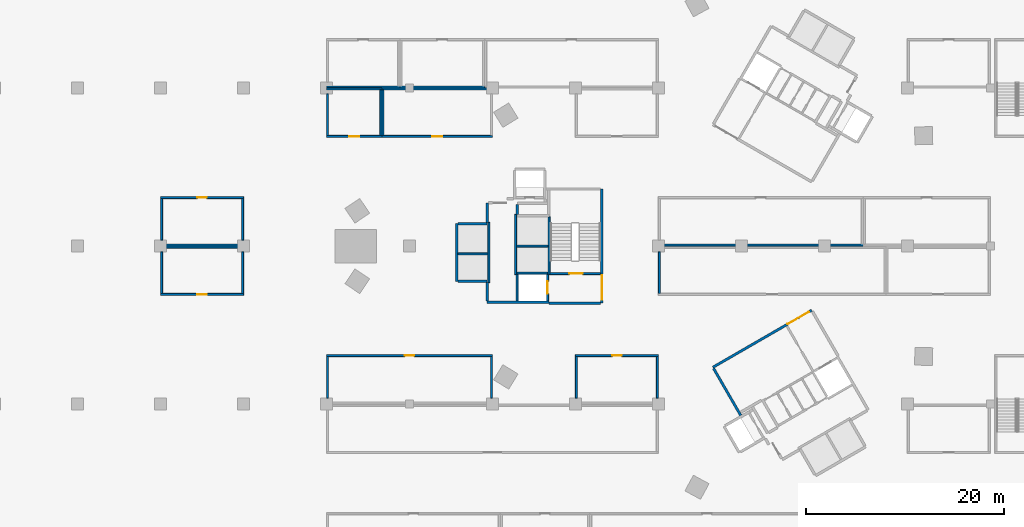
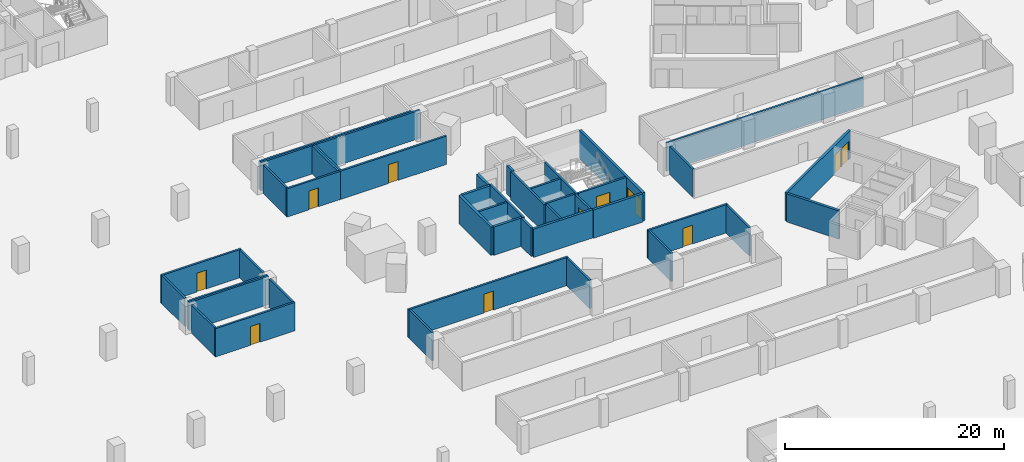
# One storey, part 9 of 37: 45 walls, 12 doors, 12 openings.
"""IFC4 building model written with IfcOpenShell, lengths in metres."""

import ifcopenshell
import ifcopenshell.guid

model = None  # the IFC model being written
_history = None  # IfcOwnerHistory: only IFC2X3 demands one
_inside = {}  # id of a spatial element -> (the spatial element, [elements in it])
_under = {}  # id of a project, library or spatial element -> (it, [spatial elements below it])
_declared = {}  # id of a project -> (the project, [libraries it declares])
_typed = {}  # id of a type object -> (the type object, [elements of that type])
_made_of = {}  # id of a material, layer set ... -> (it, [elements and type objects made of it])


def new_model(schema):
    """Start an empty IFC model of exactly this schema.

    Asked for "IFC4X3", IfcOpenShell would pick the latest addendum, in which some entities
    have other attributes; the version numbers below select the first issue.
    IFC2X3 requires an IfcOwnerHistory on every rooted entity: one is made here for all.
    """
    global model, _history
    if schema == "IFC4X3":
        model = ifcopenshell.file(schema_version=(4, 3, 0, 0))
    else:
        model = ifcopenshell.file(schema=schema)
    _inside.clear()
    _under.clear()
    _declared.clear()
    _typed.clear()
    _made_of.clear()
    _history = None
    if model.schema == "IFC2X3":
        org = make("IfcOrganization", Name="unknown")
        user = make(
            "IfcPersonAndOrganization",
            ThePerson=make("IfcPerson", FamilyName="unknown"),
            TheOrganization=org,
        )
        app = make(
            "IfcApplication",
            ApplicationDeveloper=org,
            Version="unknown",
            ApplicationFullName="unknown",
            ApplicationIdentifier="unknown",
        )
        _history = make(
            "IfcOwnerHistory",
            OwningUser=user,
            OwningApplication=app,
            ChangeAction="ADDED",
            CreationDate=0,
        )
    return model


def make(cls, **values):
    """One entity of the class cls with the attributes given. An attribute that is None is left unset."""
    return model.create_entity(
        cls, **{name: value for name, value in values.items() if value is not None}
    )


def rooted(cls, **values):
    """An entity with a GlobalId (a new one), such as an element, a storey or a relation."""
    return make(cls, GlobalId=ifcopenshell.guid.new(), OwnerHistory=_history, **values)


def si_unit(unit_type, name, prefix=None):
    """IfcSIUnit, for example si_unit("LENGTHUNIT", "METRE", prefix="MILLI")."""
    return make("IfcSIUnit", UnitType=unit_type, Prefix=prefix, Name=name)


def assignment(units):
    """IfcUnitAssignment: the units of a project."""
    return None if units is None else make("IfcUnitAssignment", Units=units)


def point(xyz):
    """IfcCartesianPoint."""
    return None if xyz is None else make("IfcCartesianPoint", Coordinates=xyz)


def direction(xyz):
    """IfcDirection."""
    return None if xyz is None else make("IfcDirection", DirectionRatios=xyz)


def frame(location, z_axis=None, x_axis=None):
    """IfcAxis2Placement3D, a coordinate frame: its origin and axes. An axis left out is left unset."""
    return make(
        "IfcAxis2Placement3D",
        Location=point(location),
        Axis=direction(z_axis),
        RefDirection=direction(x_axis),
    )


def frame_2d(location, x_axis=None):
    """IfcAxis2Placement2D, a coordinate frame in the plane: its origin and x axis."""
    return make(
        "IfcAxis2Placement2D", Location=point(location), RefDirection=direction(x_axis)
    )


def origin():
    """The frame at (0, 0, 0) with its axes left unset."""
    return frame((0.0, 0.0, 0.0))


def place(relative_to, where):
    """IfcLocalPlacement: puts the frame where relative to a parent placement (None: the world)."""
    return make(
        "IfcLocalPlacement", PlacementRelTo=relative_to, RelativePlacement=where
    )


def context(
    kind, dimensions, precision=None, world=None, true_north=None, identifier=None
):
    """IfcGeometricRepresentationContext, for example the 3D "Model" context."""
    return make(
        "IfcGeometricRepresentationContext",
        ContextIdentifier=identifier,
        ContextType=kind,
        CoordinateSpaceDimension=dimensions,
        Precision=precision,
        WorldCoordinateSystem=world,
        TrueNorth=true_north,
    )


def subcontext(parent, identifier, kind, view, scale=None):
    """IfcGeometricRepresentationSubContext, for example "Body" below "Model"."""
    return make(
        "IfcGeometricRepresentationSubContext",
        ContextIdentifier=identifier,
        ContextType=kind,
        ParentContext=parent,
        TargetScale=scale,
        TargetView=view,
    )


def project(units=None, contexts=None):
    """IfcProject with its units and contexts."""
    return rooted(
        "IfcProject",
        Name="project",
        RepresentationContexts=contexts,
        UnitsInContext=assignment(units),
    )


def spatial(cls, under=None, at=None, **own):
    """A site, building, storey or space (cls), placed at a placement, below another one or the project."""
    s = rooted(cls, ObjectPlacement=at, **own)
    if under is not None:
        _under.setdefault(under.id(), (under, []))[1].append(s)
    return s


def profile(cls, at=None, kind="AREA", **sizes):
    """A parametric profile (cls). Its sizes go by their IFC names, for example OverallWidth=200.0."""
    return make(cls, ProfileType=kind, Position=at, **sizes)


def rectangle(**sizes):
    """IfcRectangleProfileDef."""
    return profile("IfcRectangleProfileDef", **sizes)


def extrude(swept, where, along, depth):
    """IfcExtrudedAreaSolid: the profile swept, set in the frame where, extruded along a direction by depth."""
    return make(
        "IfcExtrudedAreaSolid",
        SweptArea=swept,
        Position=where,
        ExtrudedDirection=direction(along),
        Depth=depth,
    )


def shape(context_of_items, identifier, shape_type, items):
    """IfcShapeRepresentation: the items that make up one representation, for example the "Body"."""
    return make(
        "IfcShapeRepresentation",
        ContextOfItems=context_of_items,
        RepresentationIdentifier=identifier,
        RepresentationType=shape_type,
        Items=items,
    )


def material(Name=None, Category=None):
    """IfcMaterial."""
    return make("IfcMaterial", Name=Name, Category=Category)


def layer(
    of_material, thickness, ventilated=None, Name=None, Category=None, Priority=None
):
    """IfcMaterialLayer: one layer of a wall or slab, of a material (None: an air gap)."""
    return make(
        "IfcMaterialLayer",
        Material=of_material,
        LayerThickness=thickness,
        IsVentilated=ventilated,
        Name=Name,
        Category=Category,
        Priority=Priority,
    )


def layer_set(layers, Name=None):
    """IfcMaterialLayerSet."""
    return make("IfcMaterialLayerSet", MaterialLayers=layers, LayerSetName=Name)


def made_of(thing, what):
    """Note that an element or type object is made of a material, layer set ...; save() writes the relation."""
    if what is not None:
        _made_of.setdefault(what.id(), (what, []))[1].append(thing)
    return thing


def type_object(cls, material=None, **own):
    """A type object (cls), such as IfcWallType, which elements share."""
    return made_of(rooted(cls, **own), material)


def element(
    cls,
    number,
    at=None,
    inside=None,
    cuts=None,
    type_object=None,
    material=None,
    context=None,
    identifier="Body",
    shape_type=None,
    held_by="IfcProductDefinitionShape",
    body=None,
    shapes=None,
    **own,
):
    """One element of the class cls, such as IfcWall. Its Tag is "e" and its number.

    at: its placement. inside: the storey or other place that contains it. cuts: it is an
    opening in that element (IfcRelVoidsElement). A single representation is given by context,
    identifier, shape_type and body (its items); several are given by shapes. held_by: the class
    of the entity that holds the representations. save() writes the other relations.
    """
    e = rooted(cls, Tag="e%d" % number, ObjectPlacement=at, **own)
    if body is not None:
        shapes = [shape(context, identifier, shape_type, body)]
    if shapes is not None:
        e.Representation = make(held_by, Representations=shapes)
    if inside is not None:
        _inside.setdefault(inside.id(), (inside, []))[1].append(e)
    if cuts is not None:
        rooted(
            "IfcRelVoidsElement", RelatingBuildingElement=cuts, RelatedOpeningElement=e
        )
    if type_object is not None:
        _typed.setdefault(type_object.id(), (type_object, []))[1].append(e)
    return made_of(e, material)


def fill(opening, filler):
    """IfcRelFillsElement: the door or window that sits in an opening."""
    return rooted(
        "IfcRelFillsElement",
        RelatingOpeningElement=opening,
        RelatedBuildingElement=filler,
    )


def aggregate(whole, parts):
    """IfcRelAggregates: a whole, such as a stair, and the parts it consists of."""
    return rooted("IfcRelAggregates", RelatingObject=whole, RelatedObjects=parts)


def save(model, path):
    """Write the relations noted so far, then the file.

    IfcRelAggregates (storeys below a building ...), IfcRelContainedInSpatialStructure (elements
    in a storey), IfcRelDefinesByType, IfcRelAssociatesMaterial and IfcRelDeclares: one each for
    every whole, place, type object, material and project.
    """
    for whole, parts in _under.values():
        aggregate(whole, parts)
    for where, things in _inside.values():
        rooted(
            "IfcRelContainedInSpatialStructure",
            RelatedElements=things,
            RelatingStructure=where,
        )
    for kind, things in _typed.values():
        rooted("IfcRelDefinesByType", RelatedObjects=things, RelatingType=kind)
    for what, things in _made_of.values():
        rooted("IfcRelAssociatesMaterial", RelatedObjects=things, RelatingMaterial=what)
    for by, libraries in _declared.values():
        rooted("IfcRelDeclares", RelatingContext=by, RelatedDefinitions=libraries)
    model.write(path)


model = new_model("IFC4")

# Units and contexts
model_context = context("Model", 3, precision=1e-05, world=origin(), true_north=direction((0.0, 1.0)))
body_context = subcontext(model_context, "Body", "Model", "MODEL_VIEW")
ifc_project = project(units=[si_unit("LENGTHUNIT", "METRE"), si_unit("AREAUNIT", "SQUARE_METRE"), si_unit("VOLUMEUNIT", "CUBIC_METRE"), si_unit("PLANEANGLEUNIT", "RADIAN"), si_unit("MASSUNIT", "GRAM", prefix="KILO")], contexts=[model_context])

# Site, building, storey
site_placement = place(None, origin())
site = spatial("IfcSite", under=ifc_project, at=site_placement, CompositionType="ELEMENT")
building_placement = place(site_placement, origin())
building = spatial("IfcBuilding", under=site, at=building_placement, Name="Tamra Quay Hotel Tower", CompositionType="ELEMENT")
storey_placement = place(building_placement, frame((0.0, 0.0, -3.60009765625)))
storey = spatial("IfcBuildingStorey", under=building, at=storey_placement, Name="B1", CompositionType="ELEMENT", Elevation=-3.60009765625)

# Wall, opening, door
ifc_material_1 = material(Name="Blockwork", Category="masonry")
ifc_layer_1 = layer(ifc_material_1, 0.199951171875)
ifc_layer_set_1 = layer_set([ifc_layer_1], Name="Car park room wall 200")
wall_type_1 = type_object("IfcWallType", Name="Car park room wall 200", PredefinedType="PARTITIONING", material=ifc_layer_set_1)
wall_1_placement = place(storey_placement, frame((-38.699951171875, -11.10009765625, 0.0), z_axis=(0.0, 0.0, 1.0), x_axis=(1.0, 0.0, 0.0)))
wall_1 = element("IfcWall", 1, at=wall_1_placement, inside=storey, type_object=wall_type_1, Name="PW", PredefinedType="PARTITIONING", context=body_context, shape_type="SweptSolid", body=[
    extrude(rectangle(XDim=16.800048828125, YDim=0.199951171875, at=frame_2d((8.39990234375, 0.0))), origin(), (0.0, 0.0, 1.0), 3.150146484375),
])
opening_1_placement = place(wall_1_placement, frame((7.89990234375, 0.0, 0.0)))
opening_1 = element("IfcOpeningElement", 2, at=opening_1_placement, cuts=wall_1, Name="Opening PD1", PredefinedType="OPENING", context=body_context, shape_type="SweptSolid", body=[
    extrude(rectangle(XDim=1.0, YDim=2.10009765625, at=frame_2d((0.5, 1.050048828125))), frame((0.0, 0.10986328125, 0.0), z_axis=(0.0, -1.0, 0.0), x_axis=(1.0, 0.0, 0.0)), (0.0, 0.0, 1.0), 0.219970703125),
])
ifc_material_2 = material(Name="Car park door 1000 x 2100")
door_type_1 = type_object("IfcDoorType", Name="Car park door 1000 x 2100", OperationType="NOTDEFINED", PredefinedType="DOOR", material=ifc_material_2)
door_1_placement = place(opening_1_placement, origin())
door_1 = element("IfcDoor", 3, at=door_1_placement, inside=storey, type_object=door_type_1, Name="PD1", OperationType="SINGLE_SWING_LEFT", OverallHeight=2.10009765625, OverallWidth=1.0, PredefinedType="DOOR", context=body_context, shape_type="SweptSolid", body=[
    extrude(rectangle(XDim=1.0, YDim=2.10009765625, at=frame_2d((0.5, 1.050048828125))), frame((0.0, 0.02490234375, 0.0), z_axis=(0.0, -1.0, 0.0), x_axis=(1.0, 0.0, 0.0)), (0.0, 0.0, 1.0), 0.050048828125),
])
fill(opening_1, door_1)

# Walls
for number, where, z_axis, x_axis, name in (
    (4, (-38.60009765625, -15.39990234375, 0.0), (0.0, 0.0, 1.0), (0.0, 1.0, 0.0), "PW"),
    (5, (-22.0, -15.39990234375, 0.0), (0.0, 0.0, 1.0), (0.0, 1.0, 0.0), "PW"),
):
    element("IfcWall", number, at=place(storey_placement, frame(where, z_axis=z_axis, x_axis=x_axis)), inside=storey, type_object=wall_type_1, Name=name, PredefinedType="PARTITIONING", context=body_context, shape_type="SweptSolid", body=[
        extrude(rectangle(XDim=4.199951171875, YDim=0.199951171875, at=frame_2d((2.10009765625, 0.0))), origin(), (0.0, 0.0, 1.0), 3.150146484375),
    ])

# Wall, opening, door
wall_2_placement = place(storey_placement, frame((-13.5, -11.10009765625, 0.0), z_axis=(0.0, 0.0, 1.0), x_axis=(1.0, 0.0, 0.0)))
wall_2 = element("IfcWall", 6, at=wall_2_placement, inside=storey, type_object=wall_type_1, Name="PW", PredefinedType="PARTITIONING", context=body_context, shape_type="SweptSolid", body=[
    extrude(rectangle(XDim=8.39990234375, YDim=0.199951171875, at=frame_2d((4.199951171875, 0.0))), origin(), (0.0, 0.0, 1.0), 3.150146484375),
])
opening_2_placement = place(wall_2_placement, frame((3.699951171875, 0.0, 0.0)))
opening_2 = element("IfcOpeningElement", 7, at=opening_2_placement, cuts=wall_2, Name="Opening PD1", PredefinedType="OPENING", context=body_context, shape_type="SweptSolid", body=[
    extrude(rectangle(XDim=1.0, YDim=2.10009765625, at=frame_2d((0.5, 1.050048828125))), frame((0.0, 0.10986328125, 0.0), z_axis=(0.0, -1.0, 0.0), x_axis=(1.0, 0.0, 0.0)), (0.0, 0.0, 1.0), 0.219970703125),
])
door_2_placement = place(opening_2_placement, origin())
door_2 = element("IfcDoor", 8, at=door_2_placement, inside=storey, type_object=door_type_1, Name="PD1", OperationType="SINGLE_SWING_LEFT", OverallHeight=2.10009765625, OverallWidth=1.0, PredefinedType="DOOR", context=body_context, shape_type="SweptSolid", body=[
    extrude(rectangle(XDim=1.0, YDim=2.10009765625, at=frame_2d((0.5, 1.050048828125))), frame((0.0, 0.02490234375, 0.0), z_axis=(0.0, -1.0, 0.0), x_axis=(1.0, 0.0, 0.0)), (0.0, 0.0, 1.0), 0.050048828125),
])
fill(opening_2, door_2)

# Walls
for number, where, z_axis, x_axis, name in (
    (9, (-13.39990234375, -15.39990234375, 0.0), (0.0, 0.0, 1.0), (0.0, 1.0, 0.0), "PW"),
    (10, (-5.199951171875, -15.39990234375, 0.0), (0.0, 0.0, 1.0), (0.0, 1.0, 0.0), "PW"),
    (11, (-5.0, -4.800048828125, 0.0), (0.0, 0.0, 1.0), (0.0, 1.0, 0.0), "PW"),
):
    element("IfcWall", number, at=place(storey_placement, frame(where, z_axis=z_axis, x_axis=x_axis)), inside=storey, type_object=wall_type_1, Name=name, PredefinedType="PARTITIONING", context=body_context, shape_type="SweptSolid", body=[
        extrude(rectangle(XDim=4.199951171875, YDim=0.199951171875, at=frame_2d((2.10009765625, 0.0))), origin(), (0.0, 0.0, 1.0), 3.150146484375),
    ])
wall_3_placement = place(storey_placement, frame((-5.10009765625, 0.10009765625, 0.0), z_axis=(0.0, 0.0, 1.0), x_axis=(1.0, 0.0, 0.0)))
element("IfcWall", 12, at=wall_3_placement, inside=storey, type_object=wall_type_1, Name="PW", PredefinedType="PARTITIONING", context=body_context, shape_type="SweptSolid", body=[
    extrude(rectangle(XDim=20.7529296875, YDim=0.199951171875, at=frame_2d((10.37646484375, 0.0))), origin(), (0.0, 0.0, 1.0), 3.150146484375),
])

# Wall, opening, door
wall_4_placement = place(storey_placement, frame((-38.699951171875, 11.10009765625, 0.0), z_axis=(0.0, 0.0, 1.0), x_axis=(1.0, 0.0, 0.0)))
wall_4 = element("IfcWall", 13, at=wall_4_placement, inside=storey, type_object=wall_type_1, Name="PW", PredefinedType="PARTITIONING", context=body_context, shape_type="SweptSolid", body=[
    extrude(rectangle(XDim=5.599853515625, YDim=0.199951171875, at=frame_2d((2.7998046875, 0.0))), origin(), (0.0, 0.0, 1.0), 3.150146484375),
])
opening_3_placement = place(wall_4_placement, frame((2.300048828125, 0.0, 0.0)))
opening_3 = element("IfcOpeningElement", 14, at=opening_3_placement, cuts=wall_4, Name="Opening PD1", PredefinedType="OPENING", context=body_context, shape_type="SweptSolid", body=[
    extrude(rectangle(XDim=1.0, YDim=2.10009765625, at=frame_2d((0.5, 1.050048828125))), frame((0.0, 0.10986328125, 0.0), z_axis=(0.0, -1.0, 0.0), x_axis=(1.0, 0.0, 0.0)), (0.0, 0.0, 1.0), 0.219970703125),
])
door_3_placement = place(opening_3_placement, origin())
door_3 = element("IfcDoor", 15, at=door_3_placement, inside=storey, type_object=door_type_1, Name="PD1", OperationType="SINGLE_SWING_LEFT", OverallHeight=2.10009765625, OverallWidth=1.0, PredefinedType="DOOR", context=body_context, shape_type="SweptSolid", body=[
    extrude(rectangle(XDim=1.0, YDim=2.10009765625, at=frame_2d((0.5, 1.050048828125))), frame((0.0, 0.02490234375, 0.0), z_axis=(0.0, -1.0, 0.0), x_axis=(1.0, 0.0, 0.0)), (0.0, 0.0, 1.0), 0.050048828125),
])
fill(opening_3, door_3)

# Walls
wall_5_placement = place(storey_placement, frame((-38.699951171875, 15.89990234375, 0.0), z_axis=(0.0, 0.0, 1.0), x_axis=(1.0, 0.0, 0.0)))
element("IfcWall", 16, at=wall_5_placement, inside=storey, type_object=wall_type_1, Name="PW", PredefinedType="PARTITIONING", context=body_context, shape_type="SweptSolid", body=[
    extrude(rectangle(XDim=5.599853515625, YDim=0.199951171875, at=frame_2d((2.7998046875, 0.0))), origin(), (0.0, 0.0, 1.0), 3.150146484375),
])
wall_6_placement = place(storey_placement, frame((-38.60009765625, 11.199951171875, 0.0), z_axis=(0.0, 0.0, 1.0), x_axis=(0.0, 1.0, 0.0)))
element("IfcWall", 17, at=wall_6_placement, inside=storey, type_object=wall_type_1, Name="PW", PredefinedType="PARTITIONING", context=body_context, shape_type="SweptSolid", body=[
    extrude(rectangle(XDim=4.199951171875, YDim=0.199951171875, at=frame_2d((2.10009765625, 0.0))), origin(), (0.0, 0.0, 1.0), 3.150146484375),
])
wall_7_placement = place(storey_placement, frame((-33.199951171875, 11.199951171875, 0.0), z_axis=(0.0, 0.0, 1.0), x_axis=(0.0, 1.0, 0.0)))
element("IfcWall", 18, at=wall_7_placement, inside=storey, type_object=wall_type_1, Name="PW", PredefinedType="PARTITIONING", context=body_context, shape_type="SweptSolid", body=[
    extrude(rectangle(XDim=4.60009765625, YDim=0.199951171875, at=frame_2d((2.300048828125, 0.0))), origin(), (0.0, 0.0, 1.0), 3.150146484375),
])

# Wall, opening, door
wall_8_placement = place(storey_placement, frame((-33.10009765625, 11.10009765625, 0.0), z_axis=(0.0, 0.0, 1.0), x_axis=(1.0, 0.0, 0.0)))
wall_8 = element("IfcWall", 19, at=wall_8_placement, inside=storey, type_object=wall_type_1, Name="PW", PredefinedType="PARTITIONING", context=body_context, shape_type="SweptSolid", body=[
    extrude(rectangle(XDim=11.2001953125, YDim=0.199951171875, at=frame_2d((5.60009765625, 0.0))), origin(), (0.0, 0.0, 1.0), 3.150146484375),
])
opening_4_placement = place(wall_8_placement, frame((5.10009765625, 0.0, 0.0)))
opening_4 = element("IfcOpeningElement", 20, at=opening_4_placement, cuts=wall_8, Name="Opening PD1", PredefinedType="OPENING", context=body_context, shape_type="SweptSolid", body=[
    extrude(rectangle(XDim=1.0, YDim=2.10009765625, at=frame_2d((0.5, 1.050048828125))), frame((0.0, 0.10986328125, 0.0), z_axis=(0.0, -1.0, 0.0), x_axis=(1.0, 0.0, 0.0)), (0.0, 0.0, 1.0), 0.219970703125),
])
door_4_placement = place(opening_4_placement, origin())
door_4 = element("IfcDoor", 21, at=door_4_placement, inside=storey, type_object=door_type_1, Name="PD1", OperationType="SINGLE_SWING_LEFT", OverallHeight=2.10009765625, OverallWidth=1.0, PredefinedType="DOOR", context=body_context, shape_type="SweptSolid", body=[
    extrude(rectangle(XDim=1.0, YDim=2.10009765625, at=frame_2d((0.5, 1.050048828125))), frame((0.0, 0.02490234375, 0.0), z_axis=(0.0, -1.0, 0.0), x_axis=(1.0, 0.0, 0.0)), (0.0, 0.0, 1.0), 0.050048828125),
])
fill(opening_4, door_4)

# Walls
wall_9_placement = place(storey_placement, frame((-33.10009765625, 15.89990234375, 0.0), z_axis=(0.0, 0.0, 1.0), x_axis=(1.0, 0.0, 0.0)))
element("IfcWall", 22, at=wall_9_placement, inside=storey, type_object=wall_type_1, Name="PW", PredefinedType="PARTITIONING", context=body_context, shape_type="SweptSolid", body=[
    extrude(rectangle(XDim=11.2001953125, YDim=0.199951171875, at=frame_2d((5.60009765625, 0.0))), origin(), (0.0, 0.0, 1.0), 3.150146484375),
])
wall_10_placement = place(storey_placement, frame((-33.0, 11.199951171875, 0.0), z_axis=(0.0, 0.0, 1.0), x_axis=(0.0, 1.0, 0.0)))
element("IfcWall", 23, at=wall_10_placement, inside=storey, type_object=wall_type_1, Name="PW", PredefinedType="PARTITIONING", context=body_context, shape_type="SweptSolid", body=[
    extrude(rectangle(XDim=4.60009765625, YDim=0.199951171875, at=frame_2d((2.300048828125, 0.0))), origin(), (0.0, 0.0, 1.0), 3.150146484375),
])
wall_11_placement = place(storey_placement, frame((-38.699951171875, 16.10009765625, 0.0), z_axis=(0.0, 0.0, 1.0), x_axis=(1.0, 0.0, 0.0)))
element("IfcWall", 24, at=wall_11_placement, inside=storey, type_object=wall_type_1, Name="PW", PredefinedType="PARTITIONING", context=body_context, shape_type="SweptSolid", body=[
    extrude(rectangle(XDim=7.42333984375, YDim=0.199951171875, at=frame_2d((3.711669921875, 0.0))), origin(), (0.0, 0.0, 1.0), 3.150146484375),
])
wall_12_placement = place(storey_placement, frame((-31.276611328125, 16.10009765625, 0.0), z_axis=(0.0, 0.0, 1.0), x_axis=(1.0, 0.0, 0.0)))
element("IfcWall", 25, at=wall_12_placement, inside=storey, type_object=wall_type_1, Name="PW", PredefinedType="PARTITIONING", context=body_context, shape_type="SweptSolid", body=[
    extrude(rectangle(XDim=8.57666015625, YDim=0.199951171875, at=frame_2d((4.288330078125, 0.0))), origin(), (0.0, 0.0, 1.0), 3.150146484375),
])

# Wall, opening, door
wall_13_placement = place(storey_placement, frame((-55.5, -4.89990234375, 0.0), z_axis=(0.0, 0.0, 1.0), x_axis=(1.0, 0.0, 0.0)))
wall_13 = element("IfcWall", 26, at=wall_13_placement, inside=storey, type_object=wall_type_1, Name="PW", PredefinedType="PARTITIONING", context=body_context, shape_type="SweptSolid", body=[
    extrude(rectangle(XDim=8.39990234375, YDim=0.199951171875, at=frame_2d((4.199951171875, 0.0))), origin(), (0.0, 0.0, 1.0), 3.150146484375),
])
opening_5_placement = place(wall_13_placement, frame((3.699951171875, 0.0, 0.0)))
opening_5 = element("IfcOpeningElement", 27, at=opening_5_placement, cuts=wall_13, Name="Opening PD1", PredefinedType="OPENING", context=body_context, shape_type="SweptSolid", body=[
    extrude(rectangle(XDim=1.0, YDim=2.10009765625, at=frame_2d((0.5, 1.050048828125))), frame((0.0, 0.10986328125, 0.0), z_axis=(0.0, -1.0, 0.0), x_axis=(1.0, 0.0, 0.0)), (0.0, 0.0, 1.0), 0.219970703125),
])
door_5_placement = place(opening_5_placement, origin())
door_5 = element("IfcDoor", 28, at=door_5_placement, inside=storey, type_object=door_type_1, Name="PD1", OperationType="SINGLE_SWING_LEFT", OverallHeight=2.10009765625, OverallWidth=1.0, PredefinedType="DOOR", context=body_context, shape_type="SweptSolid", body=[
    extrude(rectangle(XDim=1.0, YDim=2.10009765625, at=frame_2d((0.5, 1.050048828125))), frame((0.0, 0.02490234375, 0.0), z_axis=(0.0, -1.0, 0.0), x_axis=(1.0, 0.0, 0.0)), (0.0, 0.0, 1.0), 0.050048828125),
])
fill(opening_5, door_5)

# Walls
wall_14_placement = place(storey_placement, frame((-55.5, -0.10009765625, 0.0), z_axis=(0.0, 0.0, 1.0), x_axis=(1.0, 0.0, 0.0)))
element("IfcWall", 29, at=wall_14_placement, inside=storey, type_object=wall_type_1, Name="PW", PredefinedType="PARTITIONING", context=body_context, shape_type="SweptSolid", body=[
    extrude(rectangle(XDim=8.39990234375, YDim=0.199951171875, at=frame_2d((4.199951171875, 0.0))), origin(), (0.0, 0.0, 1.0), 3.150146484375),
])
for number, where, z_axis, x_axis, name in (
    (30, (-55.39990234375, -4.800048828125, 0.0), (0.0, 0.0, 1.0), (0.0, 1.0, 0.0), "PW"),
    (31, (-47.199951171875, -4.800048828125, 0.0), (0.0, 0.0, 1.0), (0.0, 1.0, 0.0), "PW"),
):
    element("IfcWall", number, at=place(storey_placement, frame(where, z_axis=z_axis, x_axis=x_axis)), inside=storey, type_object=wall_type_1, Name=name, PredefinedType="PARTITIONING", context=body_context, shape_type="SweptSolid", body=[
        extrude(rectangle(XDim=4.199951171875, YDim=0.199951171875, at=frame_2d((2.10009765625, 0.0))), origin(), (0.0, 0.0, 1.0), 3.150146484375),
    ])
wall_15_placement = place(storey_placement, frame((-55.5, 0.10009765625, 0.0), z_axis=(0.0, 0.0, 1.0), x_axis=(1.0, 0.0, 0.0)))
element("IfcWall", 32, at=wall_15_placement, inside=storey, type_object=wall_type_1, Name="PW", PredefinedType="PARTITIONING", context=body_context, shape_type="SweptSolid", body=[
    extrude(rectangle(XDim=8.39990234375, YDim=0.199951171875, at=frame_2d((4.199951171875, 0.0))), origin(), (0.0, 0.0, 1.0), 3.150146484375),
])

# Wall, opening, door
wall_16_placement = place(storey_placement, frame((-55.5, 4.89990234375, 0.0), z_axis=(0.0, 0.0, 1.0), x_axis=(1.0, 0.0, 0.0)))
wall_16 = element("IfcWall", 33, at=wall_16_placement, inside=storey, type_object=wall_type_1, Name="PW", PredefinedType="PARTITIONING", context=body_context, shape_type="SweptSolid", body=[
    extrude(rectangle(XDim=8.39990234375, YDim=0.199951171875, at=frame_2d((4.199951171875, 0.0))), origin(), (0.0, 0.0, 1.0), 3.150146484375),
])
opening_6_placement = place(wall_16_placement, frame((3.699951171875, 0.0, 0.0)))
opening_6 = element("IfcOpeningElement", 34, at=opening_6_placement, cuts=wall_16, Name="Opening PD1", PredefinedType="OPENING", context=body_context, shape_type="SweptSolid", body=[
    extrude(rectangle(XDim=1.0, YDim=2.10009765625, at=frame_2d((0.5, 1.050048828125))), frame((0.0, 0.10986328125, 0.0), z_axis=(0.0, -1.0, 0.0), x_axis=(1.0, 0.0, 0.0)), (0.0, 0.0, 1.0), 0.219970703125),
])
door_6_placement = place(opening_6_placement, origin())
door_6 = element("IfcDoor", 35, at=door_6_placement, inside=storey, type_object=door_type_1, Name="PD1", OperationType="SINGLE_SWING_LEFT", OverallHeight=2.10009765625, OverallWidth=1.0, PredefinedType="DOOR", context=body_context, shape_type="SweptSolid", body=[
    extrude(rectangle(XDim=1.0, YDim=2.10009765625, at=frame_2d((0.5, 1.050048828125))), frame((0.0, 0.02490234375, 0.0), z_axis=(0.0, -1.0, 0.0), x_axis=(1.0, 0.0, 0.0)), (0.0, 0.0, 1.0), 0.050048828125),
])
fill(opening_6, door_6)

# Walls
for number, where, z_axis, x_axis, name in (
    (36, (-55.39990234375, 0.60009765625, 0.0), (0.0, 0.0, 1.0), (0.0, 1.0, 0.0), "PW"),
    (37, (-47.199951171875, 0.60009765625, 0.0), (0.0, 0.0, 1.0), (0.0, 1.0, 0.0), "PW"),
):
    element("IfcWall", number, at=place(storey_placement, frame(where, z_axis=z_axis, x_axis=x_axis)), inside=storey, type_object=wall_type_1, Name=name, PredefinedType="PARTITIONING", context=body_context, shape_type="SweptSolid", body=[
        extrude(rectangle(XDim=4.199951171875, YDim=0.199951171875, at=frame_2d((2.10009765625, 0.0))), origin(), (0.0, 0.0, 1.0), 3.150146484375),
    ])
ifc_material_3 = material(Name="Concrete M70", Category="concrete")
ifc_layer_2 = layer(ifc_material_3, 0.199951171875)
ifc_layer_set_2 = layer_set([ifc_layer_2], Name="Concrete M70 core wall 200")
wall_type_2 = type_object("IfcWallType", Name="Concrete M70 core wall 200", PredefinedType="SHEAR", material=ifc_layer_set_2)
wall_17_placement = place(storey_placement, frame((-16.162109375, 2.95068359375, 0.0), z_axis=(0.0, 0.0, 1.0), x_axis=(0.0, -1.0, 0.0)))
element("IfcWall", 38, at=wall_17_placement, inside=storey, type_object=wall_type_2, Name="CW2", PredefinedType="SHEAR", context=body_context, shape_type="SweptSolid", body=[
    extrude(rectangle(XDim=5.850830078125, YDim=0.199951171875, at=frame_2d((2.92529296875, 0.0))), origin(), (0.0, 0.0, 1.0), 3.150146484375),
])
for number, where, z_axis, x_axis, name in (
    (39, (-19.5625, -2.900146484375, 0.0), (0.0, 0.0, 1.0), (0.0, 1.0, 0.0), "CW2"),
    (40, (-22.26220703125, 2.400146484375, 0.0), (0.0, 0.0, 1.0), (0.0, -1.0, 0.0), "CW2"),
):
    element("IfcWall", number, at=place(storey_placement, frame(where, z_axis=z_axis, x_axis=x_axis)), inside=storey, type_object=wall_type_2, Name=name, PredefinedType="SHEAR", context=body_context, shape_type="SweptSolid", body=[
        extrude(rectangle(XDim=6.100341796875, YDim=0.199951171875, at=frame_2d((3.05029296875, 0.0))), origin(), (0.0, 0.0, 1.0), 3.150146484375),
    ])

# Wall, opening, door
wall_18_placement = place(storey_placement, frame((-10.96337890625, -2.800048828125, 0.0), z_axis=(0.0, 0.0, 1.0), x_axis=(-1.0, 0.0, 0.0)))
wall_18 = element("IfcWall", 41, at=wall_18_placement, inside=storey, type_object=wall_type_2, Name="CW2", PredefinedType="SHEAR", context=body_context, shape_type="SweptSolid", body=[
    extrude(rectangle(XDim=5.097900390625, YDim=0.199951171875, at=frame_2d((2.548828125, 0.0))), origin(), (0.0, 0.0, 1.0), 3.150146484375),
])
opening_7_placement = place(wall_18_placement, frame((1.77392578125, 0.0, 0.0)))
opening_7 = element("IfcOpeningElement", 42, at=opening_7_placement, cuts=wall_18, Name="Opening FD2", PredefinedType="OPENING", context=body_context, shape_type="SweptSolid", body=[
    extrude(rectangle(XDim=1.39990234375, YDim=2.10009765625, at=frame_2d((0.699951171875, 1.050048828125))), frame((0.0, 0.10986328125, 0.0), z_axis=(0.0, -1.0, 0.0), x_axis=(1.0, 0.0, 0.0)), (0.0, 0.0, 1.0), 0.219970703125),
])
ifc_material_4 = material(Name="Core door FD2 1400x2100 RH")
door_type_2 = type_object("IfcDoorType", Name="Core door FD2 1400x2100 RH", OperationType="NOTDEFINED", PredefinedType="DOOR", material=ifc_material_4)
door_7_placement = place(opening_7_placement, origin())
door_7 = element("IfcDoor", 43, at=door_7_placement, inside=storey, type_object=door_type_2, Name="FD2", OperationType="SINGLE_SWING_RIGHT", OverallHeight=2.10009765625, OverallWidth=1.39990234375, PredefinedType="DOOR", context=body_context, shape_type="SweptSolid", body=[
    extrude(rectangle(XDim=1.39990234375, YDim=2.10009765625, at=frame_2d((0.699951171875, 1.050048828125))), frame((0.0, 0.02490234375, 0.0), z_axis=(0.0, -1.0, 0.0), x_axis=(1.0, 0.0, 0.0)), (0.0, 0.0, 1.0), 0.050048828125),
])
fill(opening_7, door_7)

# Walls
wall_19_placement = place(storey_placement, frame((-16.26318359375, 0.0, 0.0), z_axis=(0.0, 0.0, 1.0), x_axis=(-1.0, 0.0, 0.0)))
element("IfcWall", 44, at=wall_19_placement, inside=storey, type_object=wall_type_2, Name="CW2", PredefinedType="SHEAR", context=body_context, shape_type="SweptSolid", body=[
    extrude(rectangle(XDim=3.1982421875, YDim=0.199951171875, at=frame_2d((1.59912109375, 0.0))), origin(), (0.0, 0.0, 1.0), 3.150146484375),
])
wall_20_placement = place(storey_placement, frame((-22.36328125, -0.800048828125, 0.0), z_axis=(0.0, 0.0, 1.0), x_axis=(-1.0, 0.0, 0.0)))
element("IfcWall", 45, at=wall_20_placement, inside=storey, type_object=wall_type_2, Name="CW2", PredefinedType="SHEAR", context=body_context, shape_type="SweptSolid", body=[
    extrude(rectangle(XDim=3.048095703125, YDim=0.199951171875, at=frame_2d((1.52392578125, 0.0))), origin(), (0.0, 0.0, 1.0), 3.150146484375),
])
wall_21_placement = place(storey_placement, frame((-19.412353515625, -2.75, 0.0), z_axis=(0.0, 0.0, 1.0), x_axis=(1.0, 0.0, 0.0)))
element("IfcWall", 46, at=wall_21_placement, inside=storey, type_object=wall_type_2, Name="CW2", PredefinedType="SHEAR", context=body_context, shape_type="SweptSolid", body=[
    extrude(rectangle(XDim=3.10009765625, YDim=0.199951171875, at=frame_2d((1.550048828125, 0.0))), origin(), (0.0, 0.0, 1.0), 3.150146484375),
])

# Wall, opening, door
wall_22_placement = place(storey_placement, frame((-16.312255859375, -2.898193359375, 0.0), z_axis=(0.0, 0.0, 1.0), x_axis=(0.0, -1.0, 0.0)))
wall_22 = element("IfcWall", 47, at=wall_22_placement, inside=storey, type_object=wall_type_2, Name="CW2", PredefinedType="SHEAR", context=body_context, shape_type="SweptSolid", body=[
    extrude(rectangle(XDim=2.65087890625, YDim=0.199951171875, at=frame_2d((1.325439453125, 0.0))), origin(), (0.0, 0.0, 1.0), 3.150146484375),
])
opening_8_placement = place(wall_22_placement, frame((0.65185546875, 0.0, 0.0)))
opening_8 = element("IfcOpeningElement", 48, at=opening_8_placement, cuts=wall_22, Name="Opening LD", PredefinedType="OPENING", context=body_context, shape_type="SweptSolid", body=[
    extrude(rectangle(XDim=1.300048828125, YDim=2.10009765625, at=frame_2d((0.64990234375, 1.050048828125))), frame((0.0, 0.10986328125, 0.0), z_axis=(0.0, -1.0, 0.0), x_axis=(1.0, 0.0, 0.0)), (0.0, 0.0, 1.0), 0.219970703125),
])
ifc_material_5 = material(Name="Landing door LD 1300 sliding to right")
door_type_3 = type_object("IfcDoorType", Name="Landing door LD 1300 sliding to right", OperationType="NOTDEFINED", PredefinedType="DOOR", material=ifc_material_5)
door_8_placement = place(opening_8_placement, origin())
door_8 = element("IfcDoor", 49, at=door_8_placement, inside=storey, type_object=door_type_3, Name="LD", OperationType="SLIDING_TO_RIGHT", OverallHeight=2.10009765625, OverallWidth=1.300048828125, PredefinedType="DOOR", context=body_context, shape_type="SweptSolid", body=[
    extrude(rectangle(XDim=1.300048828125, YDim=2.10009765625, at=frame_2d((0.64990234375, 1.050048828125))), frame((0.0, 0.02490234375, 0.0), z_axis=(0.0, -1.0, 0.0), x_axis=(1.0, 0.0, 0.0)), (0.0, 0.0, 1.0), 0.050048828125),
])
fill(opening_8, door_8)

# Wall
wall_23_placement = place(storey_placement, frame((-19.412353515625, -5.549072265625, 0.0), z_axis=(0.0, 0.0, 1.0), x_axis=(0.0, 1.0, 0.0)))
element("IfcWall", 50, at=wall_23_placement, inside=storey, type_object=wall_type_2, Name="CW2", PredefinedType="SHEAR", context=body_context, shape_type="SweptSolid", body=[
    extrude(rectangle(XDim=2.65087890625, YDim=0.199951171875, at=frame_2d((1.325439453125, 0.0))), origin(), (0.0, 0.0, 1.0), 3.150146484375),
])

# Wall, openings, doors
ifc_layer_3 = layer(ifc_material_3, 0.25)
ifc_layer_set_3 = layer_set([ifc_layer_3], Name="Concrete M70 core wall 250")
wall_type_3 = type_object("IfcWallType", Name="Concrete M70 core wall 250", PredefinedType="SHEAR", material=ifc_layer_set_3)
wall_24_placement = place(storey_placement, frame((-10.83740234375, 5.77490234375, 0.0), z_axis=(0.0, 0.0, 1.0), x_axis=(0.0, -1.0, 0.0)))
wall_24 = element("IfcWall", 51, at=wall_24_placement, inside=storey, type_object=wall_type_3, Name="CW1", PredefinedType="SHEAR", context=body_context, shape_type="SweptSolid", body=[
    extrude(rectangle(XDim=11.5498046875, YDim=0.25, at=frame_2d((5.77490234375, 0.0))), origin(), (0.0, 0.0, 1.0), 3.150146484375),
])
opening_9_placement = place(wall_24_placement, frame((10.02490234375, 0.0, 0.0)))
opening_9 = element("IfcOpeningElement", 52, at=opening_9_placement, cuts=wall_24, Name="Opening FD1", PredefinedType="OPENING", context=body_context, shape_type="SweptSolid", body=[
    extrude(rectangle(XDim=1.199951171875, YDim=2.10009765625, at=frame_2d((0.60009765625, 1.050048828125))), frame((0.0, 0.135009765625, 0.0), z_axis=(0.0, -1.0, 0.0), x_axis=(1.0, 0.0, 0.0)), (0.0, 0.0, 1.0), 0.27001953125),
])
opening_10_placement = place(wall_24_placement, frame((8.72509765625, 0.0, 0.0)))
opening_10 = element("IfcOpeningElement", 53, at=opening_10_placement, cuts=wall_24, Name="Opening FD1", PredefinedType="OPENING", context=body_context, shape_type="SweptSolid", body=[
    extrude(rectangle(XDim=1.199951171875, YDim=2.10009765625, at=frame_2d((0.60009765625, 1.050048828125))), frame((0.0, 0.135009765625, 0.0), z_axis=(0.0, -1.0, 0.0), x_axis=(1.0, 0.0, 0.0)), (0.0, 0.0, 1.0), 0.27001953125),
])
ifc_material_6 = material(Name="Core door FD1 1200x2100 LH")
door_type_4 = type_object("IfcDoorType", Name="Core door FD1 1200x2100 LH", OperationType="NOTDEFINED", PredefinedType="DOOR", material=ifc_material_6)
door_9_placement = place(opening_9_placement, origin())
door_9 = element("IfcDoor", 54, at=door_9_placement, inside=storey, type_object=door_type_4, Name="FD1", OperationType="SINGLE_SWING_LEFT", OverallHeight=2.10009765625, OverallWidth=1.199951171875, PredefinedType="DOOR", context=body_context, shape_type="SweptSolid", body=[
    extrude(rectangle(XDim=1.199951171875, YDim=2.10009765625, at=frame_2d((0.60009765625, 1.050048828125))), frame((0.0, 0.02490234375, 0.0), z_axis=(0.0, -1.0, 0.0), x_axis=(1.0, 0.0, 0.0)), (0.0, 0.0, 1.0), 0.050048828125),
])
fill(opening_9, door_9)
ifc_material_7 = material(Name="Core door FD1 1200x2100 RH")
door_type_5 = type_object("IfcDoorType", Name="Core door FD1 1200x2100 RH", OperationType="NOTDEFINED", PredefinedType="DOOR", material=ifc_material_7)
door_10_placement = place(opening_10_placement, origin())
door_10 = element("IfcDoor", 55, at=door_10_placement, inside=storey, type_object=door_type_5, Name="FD1", OperationType="SINGLE_SWING_RIGHT", OverallHeight=2.10009765625, OverallWidth=1.199951171875, PredefinedType="DOOR", context=body_context, shape_type="SweptSolid", body=[
    extrude(rectangle(XDim=1.199951171875, YDim=2.10009765625, at=frame_2d((0.60009765625, 1.050048828125))), frame((0.0, 0.02490234375, 0.0), z_axis=(0.0, -1.0, 0.0), x_axis=(1.0, 0.0, 0.0)), (0.0, 0.0, 1.0), 0.050048828125),
])
fill(opening_10, door_10)

# Walls
wall_25_placement = place(storey_placement, frame((-16.187255859375, -5.675048828125, 0.0), z_axis=(0.0, 0.0, 1.0), x_axis=(-1.0, 0.0, 0.0)))
element("IfcWall", 56, at=wall_25_placement, inside=storey, type_object=wall_type_3, Name="CW1", PredefinedType="SHEAR", context=body_context, shape_type="SweptSolid", body=[
    extrude(rectangle(XDim=6.25, YDim=0.25, at=frame_2d((3.125, 0.0))), origin(), (0.0, 0.0, 1.0), 3.150146484375),
])
wall_26_placement = place(storey_placement, frame((-25.537353515625, -3.574951171875, 0.0), z_axis=(0.0, 0.0, 1.0), x_axis=(0.0, 1.0, 0.0)))
element("IfcWall", 57, at=wall_26_placement, inside=storey, type_object=wall_type_3, Name="CW1", PredefinedType="SHEAR", context=body_context, shape_type="SweptSolid", body=[
    extrude(rectangle(XDim=5.849853515625, YDim=0.25, at=frame_2d((2.9248046875, 0.0))), origin(), (0.0, 0.0, 1.0), 3.150146484375),
])
wall_27_placement = place(storey_placement, frame((-10.962646484375, -5.77490234375, 0.0), z_axis=(0.0, 0.0, 1.0), x_axis=(-1.0, 0.0, 0.0)))
element("IfcWall", 58, at=wall_27_placement, inside=storey, type_object=wall_type_3, Name="CW1", PredefinedType="SHEAR", context=body_context, shape_type="SweptSolid", body=[
    extrude(rectangle(XDim=5.224609375, YDim=0.25, at=frame_2d((2.6123046875, 0.0))), origin(), (0.0, 0.0, 1.0), 3.150146484375),
])
for number, where, z_axis, x_axis, name in (
    (59, (-22.437255859375, -3.574951171875, 0.0), (0.0, 0.0, 1.0), (-1.0, 0.0, 0.0), "CW1"),
    (60, (-25.411865234375, 2.27490234375, 0.0), (0.0, 0.0, 1.0), (1.0, 0.0, 0.0), "CW1"),
):
    element("IfcWall", number, at=place(storey_placement, frame(where, z_axis=z_axis, x_axis=x_axis)), inside=storey, type_object=wall_type_3, Name=name, PredefinedType="SHEAR", context=body_context, shape_type="SweptSolid", body=[
        extrude(rectangle(XDim=2.974609375, YDim=0.25, at=frame_2d((1.4873046875, 0.0))), origin(), (0.0, 0.0, 1.0), 3.150146484375),
    ])
wall_28_placement = place(storey_placement, frame((-22.437255859375, 2.400390625, 0.0), z_axis=(0.0, 0.0, 1.0), x_axis=(0.0, 1.0, 0.0)))
element("IfcWall", 61, at=wall_28_placement, inside=storey, type_object=wall_type_3, Name="CW1", PredefinedType="SHEAR", context=body_context, shape_type="SweptSolid", body=[
    extrude(rectangle(XDim=1.974609375, YDim=0.25, at=frame_2d((0.9873046875, 0.0))), origin(), (0.0, 0.0, 1.0), 3.150146484375),
])
wall_29_placement = place(storey_placement, frame((-22.437255859375, -5.549560546875, 0.0), z_axis=(0.0, 0.0, 1.0), x_axis=(0.0, 1.0, 0.0)))
element("IfcWall", 62, at=wall_29_placement, inside=storey, type_object=wall_type_3, Name="CW1", PredefinedType="SHEAR", context=body_context, shape_type="SweptSolid", body=[
    extrude(rectangle(XDim=1.84912109375, YDim=0.25, at=frame_2d((0.924560546875, 0.0))), origin(), (0.0, 0.0, 1.0), 3.150146484375),
])
wall_30_placement = place(storey_placement, frame((-19.38720703125, 4.189697265625, 0.0), z_axis=(0.0, 0.0, 1.0), x_axis=(0.0, -1.0, 0.0)))
element("IfcWall", 63, at=wall_30_placement, inside=storey, type_object=wall_type_3, Name="CW1", PredefinedType="SHEAR", context=body_context, shape_type="SweptSolid", body=[
    extrude(rectangle(XDim=0.9892578125, YDim=0.25, at=frame_2d((0.49462890625, 0.0))), origin(), (0.0, 0.0, 1.0), 3.150146484375),
])

# Wall, openings, doors
wall_31_placement = place(storey_placement, frame((0.417236328125, -12.27294921875, 0.0), z_axis=(0.0, 0.0, 1.0), x_axis=(0.866021906294, 0.500006057782, 0.0)))
wall_31 = element("IfcWall", 64, at=wall_31_placement, inside=storey, type_object=wall_type_3, Name="CW1", PredefinedType="SHEAR", context=body_context, shape_type="SweptSolid", body=[
    extrude(rectangle(XDim=11.550048828125, YDim=0.25, at=frame_2d((5.77490234375, 0.0))), origin(), (0.0, 0.0, 1.0), 3.150146484375),
])
opening_11_placement = place(wall_31_placement, frame((10.024658203125, 0.0, 0.0)))
opening_11 = element("IfcOpeningElement", 65, at=opening_11_placement, cuts=wall_31, Name="Opening FD1", PredefinedType="OPENING", context=body_context, shape_type="SweptSolid", body=[
    extrude(rectangle(XDim=1.199951171875, YDim=2.10009765625, at=frame_2d((0.60009765625, 1.050048828125))), frame((0.0, 0.135009765625, 0.0), z_axis=(0.0, -1.0, 0.0), x_axis=(1.0, 0.0, 0.0)), (0.0, 0.0, 1.0), 0.27001953125),
])
opening_12_placement = place(wall_31_placement, frame((8.724609375, 0.0, 0.0)))
opening_12 = element("IfcOpeningElement", 66, at=opening_12_placement, cuts=wall_31, Name="Opening FD1", PredefinedType="OPENING", context=body_context, shape_type="SweptSolid", body=[
    extrude(rectangle(XDim=1.199951171875, YDim=2.10009765625, at=frame_2d((0.60009765625, 1.050048828125))), frame((0.0, 0.135009765625, 0.0), z_axis=(0.0, -1.0, 0.0), x_axis=(1.0, 0.0, 0.0)), (0.0, 0.0, 1.0), 0.27001953125),
])
door_11_placement = place(opening_11_placement, origin())
door_11 = element("IfcDoor", 67, at=door_11_placement, inside=storey, type_object=door_type_4, Name="FD1", OperationType="SINGLE_SWING_LEFT", OverallHeight=2.10009765625, OverallWidth=1.199951171875, PredefinedType="DOOR", context=body_context, shape_type="SweptSolid", body=[
    extrude(rectangle(XDim=1.199951171875, YDim=2.10009765625, at=frame_2d((0.60009765625, 1.050048828125))), frame((0.0, 0.02490234375, 0.0), z_axis=(0.0, -1.0, 0.0), x_axis=(1.0, 0.0, 0.0)), (0.0, 0.0, 1.0), 0.050048828125),
])
fill(opening_11, door_11)
door_12_placement = place(opening_12_placement, origin())
door_12 = element("IfcDoor", 68, at=door_12_placement, inside=storey, type_object=door_type_5, Name="FD1", OperationType="SINGLE_SWING_RIGHT", OverallHeight=2.10009765625, OverallWidth=1.199951171875, PredefinedType="DOOR", context=body_context, shape_type="SweptSolid", body=[
    extrude(rectangle(XDim=1.199951171875, YDim=2.10009765625, at=frame_2d((0.60009765625, 1.050048828125))), frame((0.0, 0.02490234375, 0.0), z_axis=(0.0, -1.0, 0.0), x_axis=(1.0, 0.0, 0.0)), (0.0, 0.0, 1.0), 0.050048828125),
])
fill(opening_12, door_12)

# Wall
wall_32_placement = place(storey_placement, frame((3.23486328125, -17.15283203125, 0.0), z_axis=(0.0, 0.0, 1.0), x_axis=(-0.500008851346, 0.866020293397, 0.0)))
element("IfcWall", 69, at=wall_32_placement, inside=storey, type_object=wall_type_3, Name="CW1", PredefinedType="SHEAR", context=body_context, shape_type="SweptSolid", body=[
    extrude(rectangle(XDim=5.509765625, YDim=0.25, at=frame_2d((2.7548828125, 0.0))), origin(), (0.0, 0.0, 1.0), 3.150146484375),
])

save(model, "model.ifc")
